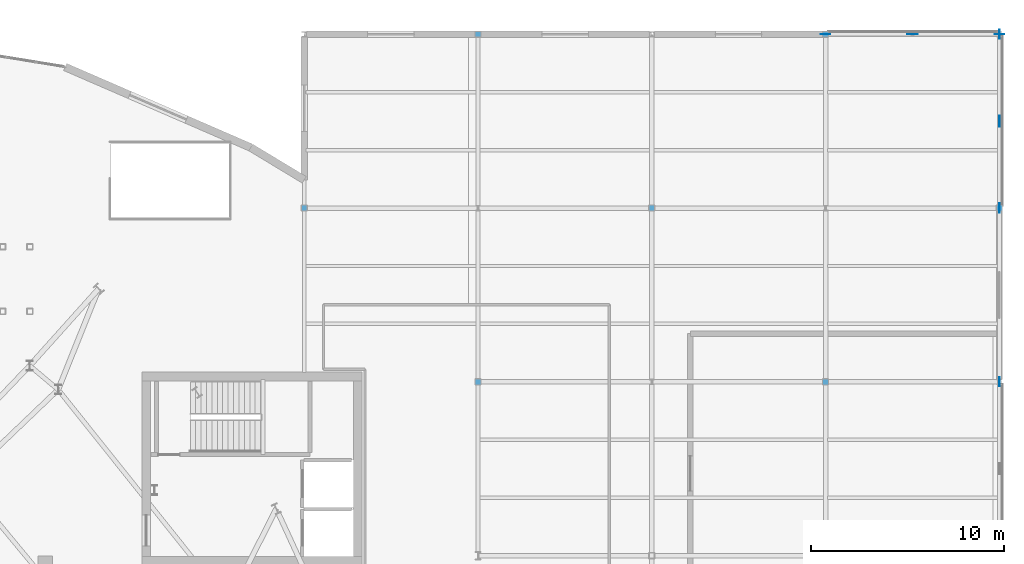
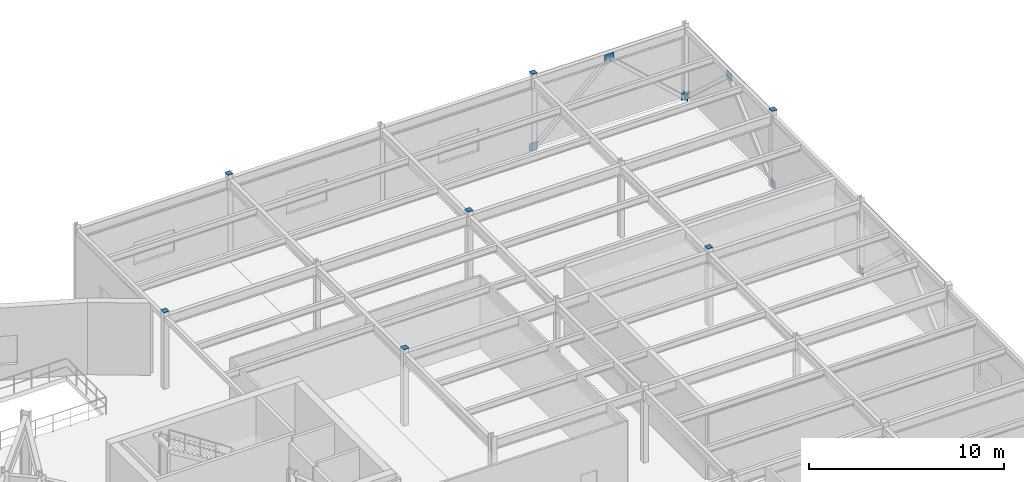
# One storey, part 80 of 86: 14 discrete accessories.
"""IFC4 building model written with IfcOpenShell, lengths in metres."""

from ifc_helpers import new_model, si_unit, direction, frame, origin, origin_2d, place, context, subcontext, project, spatial, rectangle, extrude, material, type_object, element, save


model = new_model("IFC4")

# Units and contexts
model_context = context("Model", 3, precision=1e-05, world=origin(), true_north=direction((0.0, 1.0)))
body_context = subcontext(model_context, "Body", "Model", "MODEL_VIEW")
ifc_project = project(units=[si_unit("LENGTHUNIT", "METRE"), si_unit("AREAUNIT", "SQUARE_METRE"), si_unit("VOLUMEUNIT", "CUBIC_METRE"), si_unit("PLANEANGLEUNIT", "RADIAN"), si_unit("MASSUNIT", "GRAM", prefix="KILO")], contexts=[model_context])

# Site, building, storey
site_placement = place(None, origin())
site = spatial("IfcSite", under=ifc_project, at=site_placement, CompositionType="ELEMENT")
building_placement = place(site_placement, origin())
building = spatial("IfcBuilding", under=site, at=building_placement, Name="Glasvene Arena", CompositionType="ELEMENT")
storey_placement = place(building_placement, frame((0.0, 0.0, 5.39990234375)))
storey = spatial("IfcBuildingStorey", under=building, at=storey_placement, Name="L01", CompositionType="ELEMENT", Elevation=5.39990234375)

# Discrete accessories
ifc_material = material(Name="Steel S355J2", Category="steel")
discrete_accessory_type_1 = type_object("IfcDiscreteAccessoryType", Name="ACC-BRACE-GP20", PredefinedType="BRACKET", material=ifc_material)
for number, where, z_axis, x_axis, name in (
    (1, (174.0, 100.0, -0.06982421875), (0.0, 0.0, 1.0), (1.0, 0.0, 0.0), "Chevron brace base gusset plate L01-004-B"),
    (2, (174.0, 109.0, -0.06982421875), (0.0, 0.0, 1.0), (1.0, 0.0, 0.0), "Chevron brace base gusset plate L01-007-A"),
    (3, (174.0, 118.0, -0.06982421875), (0.0, 0.0, 1.0), (1.0, 0.0, 0.0), "Chevron brace base gusset plate L01-008-B"),
):
    element("IfcDiscreteAccessory", number, at=place(storey_placement, frame(where, z_axis=z_axis, x_axis=x_axis)), inside=storey, type_object=discrete_accessory_type_1, Name=name, PredefinedType="BRACKET", context=body_context, shape_type="SweptSolid", body=[
        extrude(rectangle(XDim=0.02001953125, YDim=0.47998046875, at=origin_2d()), origin(), (0.0, 0.0, 1.0), 0.47998046875),
    ])
discrete_accessory_1_placement = place(storey_placement, frame((174.0, 113.5, 3.93017578125), z_axis=(0.0, 0.0, 1.0), x_axis=(1.0, 0.0, 0.0)))
element("IfcDiscreteAccessory", 4, at=discrete_accessory_1_placement, inside=storey, type_object=discrete_accessory_type_1, Name="Chevron brace apex gusset plate L01-008", PredefinedType="BRACKET", context=body_context, shape_type="SweptSolid", body=[
    extrude(rectangle(XDim=0.02001953125, YDim=0.56005859375, at=origin_2d()), origin(), (0.0, 0.0, 1.0), 0.47998046875),
])
for number, where, z_axis, x_axis, name in (
    (5, (165.0, 118.0, -0.06982421875), (0.0, 0.0, 1.0), (1.0, 0.0, 0.0), "Chevron brace base gusset plate L01-035-A"),
    (6, (174.0, 118.0, -0.06982421875), (0.0, 0.0, 1.0), (1.0, 0.0, 0.0), "Chevron brace base gusset plate L01-036-B"),
):
    element("IfcDiscreteAccessory", number, at=place(storey_placement, frame(where, z_axis=z_axis, x_axis=x_axis)), inside=storey, type_object=discrete_accessory_type_1, Name=name, PredefinedType="BRACKET", context=body_context, shape_type="SweptSolid", body=[
        extrude(rectangle(XDim=0.47998046875, YDim=0.02001953125, at=origin_2d()), origin(), (0.0, 0.0, 1.0), 0.47998046875),
    ])
discrete_accessory_2_placement = place(storey_placement, frame((169.5, 118.0, 3.93017578125), z_axis=(0.0, 0.0, 1.0), x_axis=(1.0, 0.0, 0.0)))
element("IfcDiscreteAccessory", 7, at=discrete_accessory_2_placement, inside=storey, type_object=discrete_accessory_type_1, Name="Chevron brace apex gusset plate L01-036", PredefinedType="BRACKET", context=body_context, shape_type="SweptSolid", body=[
    extrude(rectangle(XDim=0.56005859375, YDim=0.02001953125, at=origin_2d()), origin(), (0.0, 0.0, 1.0), 0.47998046875),
])
discrete_accessory_type_2 = type_object("IfcDiscreteAccessoryType", Name="ACC-CAP-SHS320", PredefinedType="USERDEFINED", material=ifc_material)
for number, where, z_axis, x_axis, name in (
    (8, (138.0, 109.0, 4.798095703125), (0.0, 0.0, 1.0), (1.0, 0.0, 0.0), "Hollow column top cap plate 16-13 L01"),
    (9, (147.0, 100.0, 4.798095703125), (0.0, 0.0, 1.0), (1.0, 0.0, 0.0), "Hollow column top cap plate 17-12 L01"),
    (10, (147.0, 118.0, 4.798095703125), (0.0, 0.0, 1.0), (1.0, 0.0, 0.0), "Hollow column top cap plate 17-14 L01"),
    (11, (156.0, 109.0, 4.798095703125), (0.0, 0.0, 1.0), (1.0, 0.0, 0.0), "Hollow column top cap plate 18-13 L01"),
    (12, (165.0, 100.0, 4.798095703125), (0.0, 0.0, 1.0), (1.0, 0.0, 0.0), "Hollow column top cap plate 19-12 L01"),
    (13, (165.0, 118.0, 4.798095703125), (0.0, 0.0, 1.0), (1.0, 0.0, 0.0), "Hollow column top cap plate 19-14 L01"),
    (14, (174.0, 109.0, 4.798095703125), (0.0, 0.0, 1.0), (1.0, 0.0, 0.0), "Hollow column top cap plate 20-13 L01"),
):
    element("IfcDiscreteAccessory", number, at=place(storey_placement, frame(where, z_axis=z_axis, x_axis=x_axis)), inside=storey, type_object=discrete_accessory_type_2, Name=name, ObjectType="CAP PLATE", PredefinedType="USERDEFINED", context=body_context, shape_type="SweptSolid", body=[
        extrude(rectangle(XDim=0.320068359375, YDim=0.320068359375, at=origin_2d()), origin(), (0.0, 0.0, 1.0), 0.02001953125),
    ])

save(model, "model.ifc")
